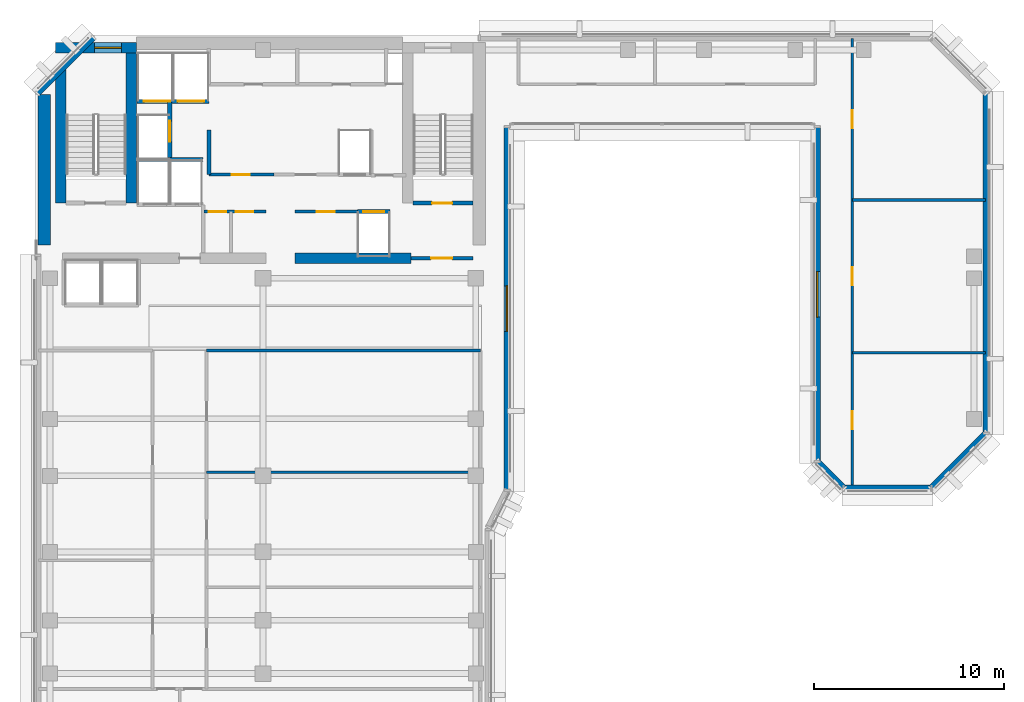
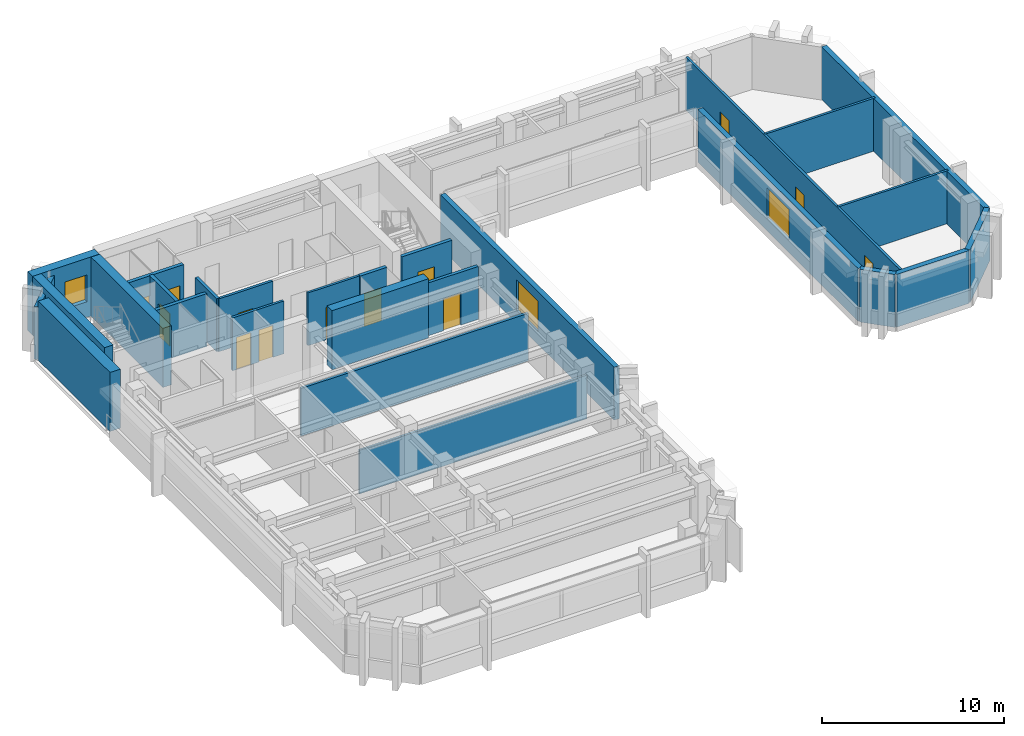
# One storey, part 6 of 11: 27 walls, 13 doors, 3 windows, 16 openings.
"""IFC4 building model written with IfcOpenShell, lengths in metres."""

from ifc_helpers import new_model, si_unit, direction, frame, frame_2d, origin, place, context, subcontext, project, spatial, rectangle, extrude, material, layer, layer_set, type_object, element, fill, save


model = new_model("IFC4")

# Units and contexts
model_context = context("Model", 3, precision=1e-05, world=origin(), true_north=direction((0.0, 1.0)))
body_context = subcontext(model_context, "Body", "Model", "MODEL_VIEW")
ifc_project = project(units=[si_unit("LENGTHUNIT", "METRE"), si_unit("AREAUNIT", "SQUARE_METRE"), si_unit("VOLUMEUNIT", "CUBIC_METRE"), si_unit("PLANEANGLEUNIT", "RADIAN"), si_unit("MASSUNIT", "GRAM", prefix="KILO")], contexts=[model_context])

# Site, building, storey
site_placement = place(None, origin())
site = spatial("IfcSite", under=ifc_project, at=site_placement, CompositionType="ELEMENT")
building_placement = place(site_placement, origin())
building = spatial("IfcBuilding", under=site, at=building_placement, Name="Kefirva Bronze Tower", CompositionType="ELEMENT")
storey_placement = place(building_placement, frame((0.0, 0.0, 247.5)))
storey = spatial("IfcBuildingStorey", under=building, at=storey_placement, Name="L60", CompositionType="ELEMENT", Elevation=247.5)

# Wall
ifc_material_1 = material(Name="Gypsum acoustic partition")
ifc_layer_1 = layer(ifc_material_1, 0.1298828125, Name="Gypsum acoustic partition")
ifc_layer_set_1 = layer_set([ifc_layer_1], Name="Gypsum acoustic partition")
wall_type_1 = type_object("IfcWallType", Name="Acoustic Office Partition 130mm", PredefinedType="PARTITIONING", material=ifc_layer_set_1)
wall_1_placement = place(storey_placement, frame((9.0400390625, 22.991943359375, 0.0), z_axis=(0.0, 0.0, 1.0), x_axis=(1.0, 0.0, 0.0)))
element("IfcWall", 1, at=wall_1_placement, inside=storey, type_object=wall_type_1, Name="L60 Partition W-L60-SED2", PredefinedType="PARTITIONING", context=body_context, shape_type="SweptSolid", body=[
    extrude(rectangle(XDim=14.409912109375, YDim=0.1298828125, at=frame_2d((7.205078125, 0.0))), origin(), (0.0, 0.0, 1.0), 2.925048828125),
])

# Wall, opening, door
ifc_layer_2 = layer(ifc_material_1, 0.14990234375, Name="Gypsum acoustic partition")
ifc_layer_set_2 = layer_set([ifc_layer_2], Name="Gypsum acoustic partition")
wall_type_2 = type_object("IfcWallType", Name="Executive Suite Partition 150mm", PredefinedType="PARTITIONING", material=ifc_layer_set_2)
wall_2_placement = place(storey_placement, frame((13.679931640625, 36.699951171875, 0.0), z_axis=(0.0, 0.0, 1.0), x_axis=(1.0, 0.0, 0.0)))
wall_2 = element("IfcWall", 2, at=wall_2_placement, inside=storey, type_object=wall_type_2, Name="L60 Partition W-L60-RECMP1", PredefinedType="PARTITIONING", context=body_context, shape_type="SweptSolid", body=[
    extrude(rectangle(XDim=3.280029296875, YDim=0.14990234375, at=frame_2d((1.64013671875, 0.0))), origin(), (0.0, 0.0, 1.0), 3.5400390625),
])
opening_1_placement = place(wall_2_placement, frame((1.14990234375, 0.0, 0.0)))
opening_1 = element("IfcOpeningElement", 3, at=opening_1_placement, cuts=wall_2, Name="Opening L60-D-RECMP1", PredefinedType="OPENING", context=body_context, shape_type="SweptSolid", body=[
    extrude(rectangle(XDim=0.949951171875, YDim=2.14990234375, at=frame_2d((0.47509765625, 1.074951171875))), frame((0.0, 0.0849609375, 0.0), z_axis=(0.0, -1.0, 0.0), x_axis=(1.0, 0.0, 0.0)), (0.0, 0.0, 1.0), 0.169921875),
])
ifc_material_2 = material(Name="Acoustic hardwood oak", Category="wood")
door_type_1 = type_object("IfcDoorType", Name="Office & Meeting Room Door 950x2150", OperationType="NOTDEFINED", PredefinedType="DOOR", material=ifc_material_2)
door_1_placement = place(opening_1_placement, origin())
door_1 = element("IfcDoor", 4, at=door_1_placement, inside=storey, type_object=door_type_1, Name="Door L60-D-RECMP1", OperationType="SINGLE_SWING_RIGHT", OverallHeight=2.14990234375, OverallWidth=0.949951171875, PredefinedType="DOOR", context=body_context, shape_type="SweptSolid", body=[
    extrude(rectangle(XDim=0.949951171875, YDim=2.14990234375, at=frame_2d((0.47509765625, 1.074951171875))), frame((0.0, 0.02490234375, 0.0), z_axis=(0.0, -1.0, 0.0), x_axis=(1.0, 0.0, 0.0)), (0.0, 0.0, 1.0), 0.050048828125),
])
fill(opening_1, door_1)

# Wall, openings, doors
wall_3_placement = place(storey_placement, frame((43.0, 22.18994140625, 0.0), z_axis=(0.0, 0.0, 1.0), x_axis=(0.0, 1.0, 0.0)))
wall_3 = element("IfcWall", 5, at=wall_3_placement, inside=storey, type_object=wall_type_2, Name="L60 Partition W-L60-PVEST", PredefinedType="PARTITIONING", context=body_context, shape_type="SweptSolid", body=[
    extrude(rectangle(XDim=23.6201171875, YDim=0.14990234375, at=frame_2d((11.81005859375, 0.0))), origin(), (0.0, 0.0, 1.0), 3.5400390625),
])
opening_2_placement = place(wall_3_placement, frame((3.068115234375, 0.0, 0.0)))
opening_2 = element("IfcOpeningElement", 6, at=opening_2_placement, cuts=wall_3, Name="Opening L60-D-EPV1", PredefinedType="OPENING", context=body_context, shape_type="SweptSolid", body=[
    extrude(rectangle(XDim=0.949951171875, YDim=2.14990234375, at=frame_2d((0.47509765625, 1.074951171875))), frame((0.0, 0.0849609375, 0.0), z_axis=(0.0, -1.0, 0.0), x_axis=(1.0, 0.0, 0.0)), (0.0, 0.0, 1.0), 0.169921875),
])
opening_3_placement = place(wall_3_placement, frame((10.62646484375, 0.0, 0.0)))
opening_3 = element("IfcOpeningElement", 7, at=opening_3_placement, cuts=wall_3, Name="Opening L60-D-EPV2", PredefinedType="OPENING", context=body_context, shape_type="SweptSolid", body=[
    extrude(rectangle(XDim=0.949951171875, YDim=2.14990234375, at=frame_2d((0.47509765625, 1.074951171875))), frame((0.0, 0.0849609375, 0.0), z_axis=(0.0, -1.0, 0.0), x_axis=(1.0, 0.0, 0.0)), (0.0, 0.0, 1.0), 0.169921875),
])
opening_4_placement = place(wall_3_placement, frame((18.893310546875, 0.0, 0.0)))
opening_4 = element("IfcOpeningElement", 8, at=opening_4_placement, cuts=wall_3, Name="Opening L60-D-EPV3", PredefinedType="OPENING", context=body_context, shape_type="SweptSolid", body=[
    extrude(rectangle(XDim=0.949951171875, YDim=2.14990234375, at=frame_2d((0.47509765625, 1.074951171875))), frame((0.0, 0.0849609375, 0.0), z_axis=(0.0, -1.0, 0.0), x_axis=(1.0, 0.0, 0.0)), (0.0, 0.0, 1.0), 0.169921875),
])
door_2_placement = place(opening_2_placement, origin())
door_2 = element("IfcDoor", 9, at=door_2_placement, inside=storey, type_object=door_type_1, Name="Door L60-D-EPV1", OperationType="SINGLE_SWING_LEFT", OverallHeight=2.14990234375, OverallWidth=0.949951171875, PredefinedType="DOOR", context=body_context, shape_type="SweptSolid", body=[
    extrude(rectangle(XDim=0.949951171875, YDim=2.14990234375, at=frame_2d((0.47509765625, 1.074951171875))), frame((0.0, 0.02490234375, 0.0), z_axis=(0.0, -1.0, 0.0), x_axis=(1.0, 0.0, 0.0)), (0.0, 0.0, 1.0), 0.050048828125),
])
fill(opening_2, door_2)
door_3_placement = place(opening_3_placement, origin())
door_3 = element("IfcDoor", 10, at=door_3_placement, inside=storey, type_object=door_type_1, Name="Door L60-D-EPV2", OperationType="SINGLE_SWING_RIGHT", OverallHeight=2.14990234375, OverallWidth=0.949951171875, PredefinedType="DOOR", context=body_context, shape_type="SweptSolid", body=[
    extrude(rectangle(XDim=0.949951171875, YDim=2.14990234375, at=frame_2d((0.47509765625, 1.074951171875))), frame((0.0, 0.02490234375, 0.0), z_axis=(0.0, -1.0, 0.0), x_axis=(1.0, 0.0, 0.0)), (0.0, 0.0, 1.0), 0.050048828125),
])
fill(opening_3, door_3)
door_4_placement = place(opening_4_placement, origin())
door_4 = element("IfcDoor", 11, at=door_4_placement, inside=storey, type_object=door_type_1, Name="Door L60-D-EPV3", OperationType="SINGLE_SWING_LEFT", OverallHeight=2.14990234375, OverallWidth=0.949951171875, PredefinedType="DOOR", context=body_context, shape_type="SweptSolid", body=[
    extrude(rectangle(XDim=0.949951171875, YDim=2.14990234375, at=frame_2d((0.47509765625, 1.074951171875))), frame((0.0, 0.02490234375, 0.0), z_axis=(0.0, -1.0, 0.0), x_axis=(1.0, 0.0, 0.0)), (0.0, 0.0, 1.0), 0.050048828125),
])
fill(opening_4, door_4)

# Walls
for number, where, z_axis, x_axis, name in (
    (12, (43.0, 29.27587890625, 0.0), (0.0, 0.0, 1.0), (1.0, 0.0, 0.0), "L60 Partition W-L60-EPVD1"),
    (13, (43.0, 37.306884765625, 0.0), (0.0, 0.0, 1.0), (1.0, 0.0, 0.0), "L60 Partition W-L60-EPVD2"),
):
    element("IfcWall", number, at=place(storey_placement, frame(where, z_axis=z_axis, x_axis=x_axis)), inside=storey, type_object=wall_type_2, Name=name, PredefinedType="PARTITIONING", context=body_context, shape_type="SweptSolid", body=[
        extrude(rectangle(XDim=7.010009765625, YDim=0.14990234375, at=frame_2d((3.5048828125, 0.0))), origin(), (0.0, 0.0, 1.0), 3.5400390625),
    ])

# Wall, opening, door
ifc_material_3 = material(Name="Gypsum fireboard shaftwall")
ifc_layer_3 = layer(ifc_material_3, 0.219970703125, Name="Gypsum fireboard shaftwall")
ifc_layer_set_3 = layer_set([ifc_layer_3], Name="Gypsum fireboard shaftwall")
wall_type_3 = type_object("IfcWallType", Name="Fire-Rated Shaft Enclosure Wall 220mm", PredefinedType="PARTITIONING", material=ifc_layer_set_3)
wall_4_placement = place(storey_placement, frame((19.89990234375, 37.14990234375, 0.0), z_axis=(0.0, 0.0, 1.0), x_axis=(1.0, 0.0, 0.0)))
wall_4 = element("IfcWall", 14, at=wall_4_placement, inside=storey, type_object=wall_type_3, Name="L60 Partition W-L60-ST2S", PredefinedType="PARTITIONING", context=body_context, shape_type="SweptSolid", body=[
    extrude(rectangle(XDim=3.150146484375, YDim=0.219970703125, at=frame_2d((1.5751953125, 0.0))), origin(), (0.0, 0.0, 1.0), 3.5400390625),
])
opening_5_placement = place(wall_4_placement, frame((2.050048828125, 0.0, 0.0), z_axis=(0.0, 0.0, 1.0), x_axis=(-1.0, 0.0, 0.0)))
opening_5 = element("IfcOpeningElement", 15, at=opening_5_placement, cuts=wall_4, Name="Opening L60-D003", PredefinedType="OPENING", context=body_context, shape_type="SweptSolid", body=[
    extrude(rectangle(XDim=1.050048828125, YDim=2.14990234375, at=frame_2d((0.52490234375, 1.074951171875))), frame((0.0, 0.1201171875, 0.0), z_axis=(0.0, -1.0, 0.0), x_axis=(1.0, 0.0, 0.0)), (0.0, 0.0, 1.0), 0.239990234375),
])
ifc_material_4 = material(Name="Painted galvanized steel", Category="steel")
door_type_2 = type_object("IfcDoorType", Name="Fire Stair Enclosure Door 1050x2150 FD90S", OperationType="NOTDEFINED", PredefinedType="DOOR", material=ifc_material_4)
door_5_placement = place(opening_5_placement, origin())
door_5 = element("IfcDoor", 16, at=door_5_placement, inside=storey, type_object=door_type_2, Name="Door L60-D003", OperationType="SINGLE_SWING_RIGHT", OverallHeight=2.14990234375, OverallWidth=1.050048828125, PredefinedType="DOOR", context=body_context, shape_type="SweptSolid", body=[
    extrude(rectangle(XDim=1.050048828125, YDim=2.14990234375, at=frame_2d((0.52490234375, 1.074951171875))), frame((0.0, 0.02490234375, 0.0), z_axis=(0.0, -1.0, 0.0), x_axis=(1.0, 0.0, 0.0)), (0.0, 0.0, 1.0), 0.050048828125),
])
fill(opening_5, door_5)

# Wall
wall_5_placement = place(storey_placement, frame((5.3798828125, 39.449951171875, 0.0), z_axis=(0.0, 0.0, 1.0), x_axis=(1.0, 0.0, 0.0)))
element("IfcWall", 17, at=wall_5_placement, inside=storey, type_object=wall_type_3, Name="L60 Partition W-L60-FFN", PredefinedType="PARTITIONING", context=body_context, shape_type="SweptSolid", body=[
    extrude(rectangle(XDim=3.460205078125, YDim=0.219970703125, at=frame_2d((1.72998046875, 0.0))), origin(), (0.0, 0.0, 1.0), 3.5400390625),
])

# Wall, openings, doors
wall_6_placement = place(storey_placement, frame((5.3798828125, 42.5, 0.0), z_axis=(0.0, 0.0, 1.0), x_axis=(1.0, 0.0, 0.0)))
wall_6 = element("IfcWall", 18, at=wall_6_placement, inside=storey, type_object=wall_type_3, Name="L60 Partition W-L60-SVS", PredefinedType="PARTITIONING", context=body_context, shape_type="SweptSolid", body=[
    extrude(rectangle(XDim=3.77001953125, YDim=0.219970703125, at=frame_2d((1.885009765625, 0.0))), origin(), (0.0, 0.0, 1.0), 3.5400390625),
])
opening_6_placement = place(wall_6_placement, frame((1.75, 0.0, 0.0), z_axis=(0.0, 0.0, 1.0), x_axis=(-1.0, 0.0, 0.0)))
opening_6 = element("IfcOpeningElement", 19, at=opening_6_placement, cuts=wall_6, Name="Opening L60-LD-SV1", PredefinedType="OPENING", context=body_context, shape_type="SweptSolid", body=[
    extrude(rectangle(XDim=1.39990234375, YDim=2.199951171875, at=frame_2d((0.699951171875, 1.10009765625))), frame((0.0, 0.1201171875, 0.0), z_axis=(0.0, -1.0, 0.0), x_axis=(1.0, 0.0, 0.0)), (0.0, 0.0, 1.0), 0.239990234375),
])
opening_7_placement = place(wall_6_placement, frame((3.52978515625, 0.0, 0.0), z_axis=(0.0, 0.0, 1.0), x_axis=(-1.0, 0.0, 0.0)))
opening_7 = element("IfcOpeningElement", 20, at=opening_7_placement, cuts=wall_6, Name="Opening L60-LD-SV2", PredefinedType="OPENING", context=body_context, shape_type="SweptSolid", body=[
    extrude(rectangle(XDim=1.39990234375, YDim=2.199951171875, at=frame_2d((0.699951171875, 1.10009765625))), frame((0.0, 0.1201171875, 0.0), z_axis=(0.0, -1.0, 0.0), x_axis=(1.0, 0.0, 0.0)), (0.0, 0.0, 1.0), 0.239990234375),
])
ifc_material_5 = material(Name="Stainless steel 316", Category="steel")
door_type_3 = type_object("IfcDoorType", Name="Goods Lift Bi-Parting Sliding Door 1400x2200", OperationType="SLIDING_TO_LEFT", PredefinedType="DOOR", material=ifc_material_5)
door_6_placement = place(opening_6_placement, origin())
door_6 = element("IfcDoor", 21, at=door_6_placement, inside=storey, type_object=door_type_3, Name="Door L60-LD-SV1", OperationType="SLIDING_TO_LEFT", OverallHeight=2.199951171875, OverallWidth=1.39990234375, PredefinedType="DOOR", context=body_context, shape_type="SweptSolid", body=[
    extrude(rectangle(XDim=1.39990234375, YDim=2.199951171875, at=frame_2d((0.699951171875, 1.10009765625))), frame((0.0, 0.02490234375, 0.0), z_axis=(0.0, -1.0, 0.0), x_axis=(1.0, 0.0, 0.0)), (0.0, 0.0, 1.0), 0.050048828125),
])
fill(opening_6, door_6)
door_7_placement = place(opening_7_placement, origin())
door_7 = element("IfcDoor", 22, at=door_7_placement, inside=storey, type_object=door_type_3, Name="Door L60-LD-SV2", OperationType="SLIDING_TO_LEFT", OverallHeight=2.199951171875, OverallWidth=1.39990234375, PredefinedType="DOOR", context=body_context, shape_type="SweptSolid", body=[
    extrude(rectangle(XDim=1.39990234375, YDim=2.199951171875, at=frame_2d((0.699951171875, 1.10009765625))), frame((0.0, 0.02490234375, 0.0), z_axis=(0.0, -1.0, 0.0), x_axis=(1.0, 0.0, 0.0)), (0.0, 0.0, 1.0), 0.050048828125),
])
fill(opening_7, door_7)

# Wall, opening, door
wall_7_placement = place(storey_placement, frame((7.10009765625, 39.52001953125, 0.0), z_axis=(0.0, 0.0, 1.0), x_axis=(0.0, 1.0, 0.0)))
wall_7 = element("IfcWall", 23, at=wall_7_placement, inside=storey, type_object=wall_type_3, Name="L60 Partition W-L60-HP3E", PredefinedType="PARTITIONING", context=body_context, shape_type="SweptSolid", body=[
    extrude(rectangle(XDim=2.929931640625, YDim=0.219970703125, at=frame_2d((1.46484375, 0.0))), origin(), (0.0, 0.0, 1.0), 3.5400390625),
])
opening_8_placement = place(wall_7_placement, frame((0.85009765625, 0.0, 0.0)))
opening_8 = element("IfcOpeningElement", 24, at=opening_8_placement, cuts=wall_7, Name="Opening L60-LD-HP3", PredefinedType="OPENING", context=body_context, shape_type="SweptSolid", body=[
    extrude(rectangle(XDim=1.10009765625, YDim=2.199951171875, at=frame_2d((0.550048828125, 1.10009765625))), frame((0.0, 0.1201171875, 0.0), z_axis=(0.0, -1.0, 0.0), x_axis=(1.0, 0.0, 0.0)), (0.0, 0.0, 1.0), 0.239990234375),
])
door_type_4 = type_object("IfcDoorType", Name="Passenger Lift Sliding Landing Door 1100x2200", OperationType="SLIDING_TO_LEFT", PredefinedType="DOOR", material=ifc_material_5)
door_8_placement = place(opening_8_placement, origin())
door_8 = element("IfcDoor", 25, at=door_8_placement, inside=storey, type_object=door_type_4, Name="Door L60-LD-HP3", OperationType="SLIDING_TO_LEFT", OverallHeight=2.199951171875, OverallWidth=1.10009765625, PredefinedType="DOOR", context=body_context, shape_type="SweptSolid", body=[
    extrude(rectangle(XDim=1.10009765625, YDim=2.199951171875, at=frame_2d((0.550048828125, 1.10009765625))), frame((0.0, 0.02490234375, 0.0), z_axis=(0.0, -1.0, 0.0), x_axis=(1.0, 0.0, 0.0)), (0.0, 0.0, 1.0), 0.050048828125),
])
fill(opening_8, door_8)

# Wall
wall_8_placement = place(storey_placement, frame((9.159912109375, 38.64990234375, 0.0), z_axis=(0.0, 0.0, 1.0), x_axis=(0.0, 1.0, 0.0)))
element("IfcWall", 26, at=wall_8_placement, inside=storey, type_object=wall_type_3, Name="L60 Partition W-L60-LP3W", PredefinedType="PARTITIONING", context=body_context, shape_type="SweptSolid", body=[
    extrude(rectangle(XDim=2.35009765625, YDim=0.199951171875, at=frame_2d((1.175048828125, 0.0))), origin(), (0.0, 0.0, 1.0), 3.5400390625),
])

# Wall, opening, door
wall_9_placement = place(storey_placement, frame((16.97998046875, 36.699951171875, 0.0), z_axis=(0.0, 0.0, 1.0), x_axis=(1.0, 0.0, 0.0)))
wall_9 = element("IfcWall", 27, at=wall_9_placement, inside=storey, type_object=wall_type_3, Name="L60 Partition W-L60-HPS", PredefinedType="PARTITIONING", context=body_context, shape_type="SweptSolid", body=[
    extrude(rectangle(XDim=1.699951171875, YDim=0.219970703125, at=frame_2d((0.85009765625, 0.0))), origin(), (0.0, 0.0, 1.0), 3.5400390625),
])
opening_9_placement = place(wall_9_placement, frame((0.300048828125, 0.0, 0.0)))
opening_9 = element("IfcOpeningElement", 28, at=opening_9_placement, cuts=wall_9, Name="Opening L60-LD-HP1", PredefinedType="OPENING", context=body_context, shape_type="SweptSolid", body=[
    extrude(rectangle(XDim=1.10009765625, YDim=2.199951171875, at=frame_2d((0.550048828125, 1.10009765625))), frame((0.0, 0.1201171875, 0.0), z_axis=(0.0, -1.0, 0.0), x_axis=(1.0, 0.0, 0.0)), (0.0, 0.0, 1.0), 0.239990234375),
])
door_9_placement = place(opening_9_placement, origin())
door_9 = element("IfcDoor", 29, at=door_9_placement, inside=storey, type_object=door_type_4, Name="Door L60-LD-HP1", OperationType="SLIDING_TO_LEFT", OverallHeight=2.199951171875, OverallWidth=1.10009765625, PredefinedType="DOOR", context=body_context, shape_type="SweptSolid", body=[
    extrude(rectangle(XDim=1.10009765625, YDim=2.199951171875, at=frame_2d((0.550048828125, 1.10009765625))), frame((0.0, 0.02490234375, 0.0), z_axis=(0.0, -1.0, 0.0), x_axis=(1.0, 0.0, 0.0)), (0.0, 0.0, 1.0), 0.050048828125),
])
fill(opening_9, door_9)

ifc_material_6 = material(Name="Gypsum fireboard barrier")
ifc_layer_4 = layer(ifc_material_6, 0.199951171875, Name="Gypsum fireboard barrier")
ifc_layer_set_4 = layer_set([ifc_layer_4], Name="Gypsum fireboard barrier")
wall_type_4 = type_object("IfcWallType", Name="Firefighting Lobby Barrier Wall 200mm", PredefinedType="PARTITIONING", material=ifc_layer_set_4)
wall_10_placement = place(storey_placement, frame((19.800048828125, 34.25, 0.0), z_axis=(0.0, 0.0, 1.0), x_axis=(1.0, 0.0, 0.0)))
wall_10 = element("IfcWall", 30, at=wall_10_placement, inside=storey, type_object=wall_type_4, Name="L60 Partition W-L60-ST2F", PredefinedType="PARTITIONING", context=body_context, shape_type="SweptSolid", body=[
    extrude(rectangle(XDim=3.25, YDim=0.199951171875, at=frame_2d((1.625, 0.0))), origin(), (0.0, 0.0, 1.0), 3.5400390625),
])
opening_10_placement = place(wall_10_placement, frame((2.150146484375, 0.0, 0.0), z_axis=(0.0, 0.0, 1.0), x_axis=(-1.0, 0.0, 0.0)))
opening_10 = element("IfcOpeningElement", 31, at=opening_10_placement, cuts=wall_10, Name="Opening L60-D004", PredefinedType="OPENING", context=body_context, shape_type="SweptSolid", body=[
    extrude(rectangle(XDim=1.10009765625, YDim=2.14990234375, at=frame_2d((0.550048828125, 1.074951171875))), frame((0.0, 0.10986328125, 0.0), z_axis=(0.0, -1.0, 0.0), x_axis=(1.0, 0.0, 0.0)), (0.0, 0.0, 1.0), 0.219970703125),
])
door_type_5 = type_object("IfcDoorType", Name="Firefighting Lobby Smoke Door 1100x2150 FD60S", OperationType="NOTDEFINED", PredefinedType="DOOR", material=ifc_material_4)
door_10_placement = place(opening_10_placement, origin())
door_10 = element("IfcDoor", 32, at=door_10_placement, inside=storey, type_object=door_type_5, Name="Door L60-D004", OperationType="SINGLE_SWING_LEFT", OverallHeight=2.14990234375, OverallWidth=1.10009765625, PredefinedType="DOOR", context=body_context, shape_type="SweptSolid", body=[
    extrude(rectangle(XDim=1.10009765625, YDim=2.14990234375, at=frame_2d((0.550048828125, 1.074951171875))), frame((0.0, 0.02490234375, 0.0), z_axis=(0.0, -1.0, 0.0), x_axis=(1.0, 0.0, 0.0)), (0.0, 0.0, 1.0), 0.050048828125),
])
fill(opening_10, door_10)

# Wall, opening, window
ifc_material_7 = material(Name="Precast concrete C40/50", Category="concrete")
ifc_layer_5 = layer(ifc_material_7, 0.320068359375, Name="Precast concrete C40/50")
ifc_layer_set_5 = layer_set([ifc_layer_5], Name="Precast concrete C40/50")
wall_type_5 = type_object("IfcWallType", Name="Precast Insulated Exterior Wall 320mm", PredefinedType="SOLIDWALL", material=ifc_layer_set_5)
wall_11_placement = place(storey_placement, frame((24.840087890625, 22.054931640625, 0.0), z_axis=(0.0, 0.0, 1.0), x_axis=(0.0, 1.0, 0.0)))
wall_11 = element("IfcWall", 33, at=wall_11_placement, inside=storey, type_object=wall_type_5, Name="L60 Exterior Facade Wall 4", PredefinedType="SOLIDWALL", context=body_context, shape_type="SweptSolid", body=[
    extrude(rectangle(XDim=19.090087890625, YDim=0.320068359375, at=frame_2d((9.544921875, 0.0))), origin(), (0.0, 0.0, 1.0), 3.5400390625),
])
opening_11_placement = place(wall_11_placement, frame((8.344970703125, 0.0, 0.85009765625)))
opening_11 = element("IfcOpeningElement", 34, at=opening_11_placement, cuts=wall_11, Name="Opening WN-01", PredefinedType="OPENING", context=body_context, shape_type="SweptSolid", body=[
    extrude(rectangle(XDim=2.39990234375, YDim=2.050048828125, at=frame_2d((1.199951171875, 1.02490234375))), frame((0.0, 0.169921875, 0.0), z_axis=(0.0, -1.0, 0.0), x_axis=(1.0, 0.0, 0.0)), (0.0, 0.0, 1.0), 0.340087890625),
])
ifc_material_8 = material(Name="Laminated low-E double glazing", Category="glass")
window_type_1 = type_object("IfcWindowType", Name="Streamline Ribbon Window 2400x2050", PartitioningType="SINGLE_PANEL", PredefinedType="WINDOW", material=ifc_material_8)
window_1_placement = place(opening_11_placement, origin())
window_1 = element("IfcWindow", 35, at=window_1_placement, inside=storey, type_object=window_type_1, Name="L60 Ribbon Window 4", OverallHeight=2.050048828125, OverallWidth=2.39990234375, PartitioningType="SINGLE_PANEL", PredefinedType="WINDOW", context=body_context, shape_type="SweptSolid", body=[
    extrude(rectangle(XDim=2.39990234375, YDim=2.050048828125, at=frame_2d((1.199951171875, 1.02490234375))), frame((0.0, 0.030029296875, 0.0), z_axis=(0.0, -1.0, 0.0), x_axis=(1.0, 0.0, 0.0)), (0.0, 0.0, 1.0), 0.06005859375),
])
fill(opening_11, window_1)

wall_12_placement = place(storey_placement, frame((41.159912109375, 41.14501953125, 0.0), z_axis=(0.0, 0.0, 1.0), x_axis=(0.0, -1.0, 0.0)))
wall_12 = element("IfcWall", 36, at=wall_12_placement, inside=storey, type_object=wall_type_5, Name="L60 Exterior Facade Wall 5", PredefinedType="SOLIDWALL", context=body_context, shape_type="SweptSolid", body=[
    extrude(rectangle(XDim=17.590087890625, YDim=0.320068359375, at=frame_2d((8.794921875, 0.0))), origin(), (0.0, 0.0, 1.0), 3.5400390625),
])
opening_12_placement = place(wall_12_placement, frame((7.594970703125, 0.0, 0.85009765625)))
opening_12 = element("IfcOpeningElement", 37, at=opening_12_placement, cuts=wall_12, Name="Opening WN-01", PredefinedType="OPENING", context=body_context, shape_type="SweptSolid", body=[
    extrude(rectangle(XDim=2.39990234375, YDim=2.050048828125, at=frame_2d((1.199951171875, 1.02490234375))), frame((0.0, 0.169921875, 0.0), z_axis=(0.0, -1.0, 0.0), x_axis=(1.0, 0.0, 0.0)), (0.0, 0.0, 1.0), 0.340087890625),
])
window_2_placement = place(opening_12_placement, origin())
window_2 = element("IfcWindow", 38, at=window_2_placement, inside=storey, type_object=window_type_1, Name="L60 Ribbon Window 5", OverallHeight=2.050048828125, OverallWidth=2.39990234375, PartitioningType="SINGLE_PANEL", PredefinedType="WINDOW", context=body_context, shape_type="SweptSolid", body=[
    extrude(rectangle(XDim=2.39990234375, YDim=2.050048828125, at=frame_2d((1.199951171875, 1.02490234375))), frame((0.0, 0.030029296875, 0.0), z_axis=(0.0, -1.0, 0.0), x_axis=(1.0, 0.0, 0.0)), (0.0, 0.0, 1.0), 0.06005859375),
])
fill(opening_12, window_2)

# Walls
wall_13_placement = place(storey_placement, frame((41.152099609375, 23.57421875, 0.0), z_axis=(0.0, 0.0, 1.0), x_axis=(0.707106781187, -0.707106781187, 0.0)))
element("IfcWall", 39, at=wall_13_placement, inside=storey, type_object=wall_type_5, Name="L60 Exterior Facade Wall 6", PredefinedType="SOLIDWALL", context=body_context, shape_type="SweptSolid", body=[
    extrude(rectangle(XDim=2.01123046875, YDim=0.320068359375, at=frame_2d((1.005615234375, 0.0))), origin(), (0.0, 0.0, 1.0), 3.5400390625),
])
wall_14_placement = place(storey_placement, frame((42.554931640625, 22.159912109375, 0.0), z_axis=(0.0, 0.0, 1.0), x_axis=(1.0, 0.0, 0.0)))
element("IfcWall", 40, at=wall_14_placement, inside=storey, type_object=wall_type_5, Name="L60 Exterior Facade Wall 7", PredefinedType="SOLIDWALL", context=body_context, shape_type="SweptSolid", body=[
    extrude(rectangle(XDim=4.590087890625, YDim=0.320068359375, at=frame_2d((2.294921875, 0.0))), origin(), (0.0, 0.0, 1.0), 3.5400390625),
])
wall_15_placement = place(storey_placement, frame((47.125732421875, 22.152099609375, 0.0), z_axis=(0.0, 0.0, 1.0), x_axis=(0.707136318428, 0.707077242712, 0.0)))
element("IfcWall", 41, at=wall_15_placement, inside=storey, type_object=wall_type_5, Name="L60 Exterior Facade Wall 8", PredefinedType="SOLIDWALL", context=body_context, shape_type="SweptSolid", body=[
    extrude(rectangle(XDim=4.132568359375, YDim=0.320068359375, at=frame_2d((2.06640625, 0.0))), origin(), (0.0, 0.0, 1.0), 3.5400390625),
])
wall_16_placement = place(storey_placement, frame((50.0400390625, 25.054931640625, 0.0), z_axis=(0.0, 0.0, 1.0), x_axis=(0.0, 1.0, 0.0)))
element("IfcWall", 42, at=wall_16_placement, inside=storey, type_object=wall_type_5, Name="L60 Exterior Facade Wall 9", PredefinedType="SOLIDWALL", context=body_context, shape_type="SweptSolid", body=[
    extrude(rectangle(XDim=17.89013671875, YDim=0.320068359375, at=frame_2d((8.945068359375, 0.0))), origin(), (0.0, 0.0, 1.0), 3.5400390625),
])
wall_17_placement = place(storey_placement, frame((3.07421875, 45.847900390625, 0.0), z_axis=(0.0, 0.0, 1.0), x_axis=(-0.707106781187, -0.707106781187, 0.0)))
element("IfcWall", 43, at=wall_17_placement, inside=storey, type_object=wall_type_5, Name="L60 Exterior Facade Wall 12", PredefinedType="SOLIDWALL", context=body_context, shape_type="SweptSolid", body=[
    extrude(rectangle(XDim=4.132568359375, YDim=0.320068359375, at=frame_2d((2.06640625, 0.0))), origin(), (0.0, 0.0, 1.0), 3.5400390625),
])

# Wall, openings, doors
ifc_layer_6 = layer(ifc_material_1, 0.159912109375, Name="Gypsum acoustic partition")
ifc_layer_set_6 = layer_set([ifc_layer_6], Name="Gypsum acoustic partition")
wall_type_6 = type_object("IfcWallType", Name="Protected Corridor Partition 160mm", PredefinedType="PARTITIONING", material=ifc_layer_set_6)
wall_18_placement = place(storey_placement, frame((8.89990234375, 36.699951171875, 0.0), z_axis=(0.0, 0.0, 1.0), x_axis=(1.0, 0.0, 0.0)))
wall_18 = element("IfcWall", 44, at=wall_18_placement, inside=storey, type_object=wall_type_6, Name="L60 Partition W-L60-RECLP1", PredefinedType="PARTITIONING", context=body_context, shape_type="SweptSolid", body=[
    extrude(rectangle(XDim=3.25, YDim=0.159912109375, at=frame_2d((1.625, 0.0))), origin(), (0.0, 0.0, 1.0), 3.5400390625),
])
opening_13_placement = place(wall_18_placement, frame((0.260009765625, 0.0, 0.0)))
opening_13 = element("IfcOpeningElement", 45, at=opening_13_placement, cuts=wall_18, Name="Opening L60-D-RECLP1A", PredefinedType="OPENING", context=body_context, shape_type="SweptSolid", body=[
    extrude(rectangle(XDim=0.89990234375, YDim=2.14990234375, at=frame_2d((0.449951171875, 1.074951171875))), frame((0.0, 0.08984375, 0.0), z_axis=(0.0, -1.0, 0.0), x_axis=(1.0, 0.0, 0.0)), (0.0, 0.0, 1.0), 0.179931640625),
])
opening_14_placement = place(wall_18_placement, frame((1.679931640625, 0.0, 0.0)))
opening_14 = element("IfcOpeningElement", 46, at=opening_14_placement, cuts=wall_18, Name="Opening L60-D-RECLP1B", PredefinedType="OPENING", context=body_context, shape_type="SweptSolid", body=[
    extrude(rectangle(XDim=0.89990234375, YDim=2.14990234375, at=frame_2d((0.449951171875, 1.074951171875))), frame((0.0, 0.08984375, 0.0), z_axis=(0.0, -1.0, 0.0), x_axis=(1.0, 0.0, 0.0)), (0.0, 0.0, 1.0), 0.179931640625),
])
door_type_6 = type_object("IfcDoorType", Name="Core Archive & Server Fire Door 900x2150 FD60S", OperationType="NOTDEFINED", PredefinedType="DOOR", material=ifc_material_4)
door_11_placement = place(opening_13_placement, origin())
door_11 = element("IfcDoor", 47, at=door_11_placement, inside=storey, type_object=door_type_6, Name="Door L60-D-RECLP1A", OperationType="SINGLE_SWING_LEFT", OverallHeight=2.14990234375, OverallWidth=0.89990234375, PredefinedType="DOOR", context=body_context, shape_type="SweptSolid", body=[
    extrude(rectangle(XDim=0.89990234375, YDim=2.14990234375, at=frame_2d((0.449951171875, 1.074951171875))), frame((0.0, 0.02490234375, 0.0), z_axis=(0.0, -1.0, 0.0), x_axis=(1.0, 0.0, 0.0)), (0.0, 0.0, 1.0), 0.050048828125),
])
fill(opening_13, door_11)
door_12_placement = place(opening_14_placement, origin())
door_12 = element("IfcDoor", 48, at=door_12_placement, inside=storey, type_object=door_type_6, Name="Door L60-D-RECLP1B", OperationType="SINGLE_SWING_RIGHT", OverallHeight=2.14990234375, OverallWidth=0.89990234375, PredefinedType="DOOR", context=body_context, shape_type="SweptSolid", body=[
    extrude(rectangle(XDim=0.89990234375, YDim=2.14990234375, at=frame_2d((0.449951171875, 1.074951171875))), frame((0.0, 0.02490234375, 0.0), z_axis=(0.0, -1.0, 0.0), x_axis=(1.0, 0.0, 0.0)), (0.0, 0.0, 1.0), 0.050048828125),
])
fill(opening_14, door_12)

# Wall, opening, door
wall_19_placement = place(storey_placement, frame((9.159912109375, 38.64990234375, 0.0), z_axis=(0.0, 0.0, 1.0), x_axis=(1.0, 0.0, 0.0)))
wall_19 = element("IfcWall", 49, at=wall_19_placement, inside=storey, type_object=wall_type_6, Name="L60 Partition W-L60-RECLP2", PredefinedType="PARTITIONING", context=body_context, shape_type="SweptSolid", body=[
    extrude(rectangle(XDim=3.420166015625, YDim=0.159912109375, at=frame_2d((1.7099609375, 0.0))), origin(), (0.0, 0.0, 1.0), 3.5400390625),
])
opening_15_placement = place(wall_19_placement, frame((2.14990234375, 0.0, 0.0), z_axis=(0.0, 0.0, 1.0), x_axis=(-1.0, 0.0, 0.0)))
opening_15 = element("IfcOpeningElement", 50, at=opening_15_placement, cuts=wall_19, Name="Opening L60-D-RECLP2", PredefinedType="OPENING", context=body_context, shape_type="SweptSolid", body=[
    extrude(rectangle(XDim=0.949951171875, YDim=2.14990234375, at=frame_2d((0.47509765625, 1.074951171875))), frame((0.0, 0.08984375, 0.0), z_axis=(0.0, -1.0, 0.0), x_axis=(1.0, 0.0, 0.0)), (0.0, 0.0, 1.0), 0.179931640625),
])
door_13_placement = place(opening_15_placement, origin())
door_13 = element("IfcDoor", 51, at=door_13_placement, inside=storey, type_object=door_type_1, Name="Door L60-D-RECLP2", OperationType="SINGLE_SWING_LEFT", OverallHeight=2.14990234375, OverallWidth=0.949951171875, PredefinedType="DOOR", context=body_context, shape_type="SweptSolid", body=[
    extrude(rectangle(XDim=0.949951171875, YDim=2.14990234375, at=frame_2d((0.47509765625, 1.074951171875))), frame((0.0, 0.02490234375, 0.0), z_axis=(0.0, -1.0, 0.0), x_axis=(1.0, 0.0, 0.0)), (0.0, 0.0, 1.0), 0.050048828125),
])
fill(opening_15, door_13)

# Wall
wall_20_placement = place(storey_placement, frame((9.0400390625, 29.39990234375, 0.0), z_axis=(0.0, 0.0, 1.0), x_axis=(1.0, 0.0, 0.0)))
element("IfcWall", 52, at=wall_20_placement, inside=storey, type_object=wall_type_6, Name="L60 Partition W-L60-NET", PredefinedType="PARTITIONING", context=body_context, shape_type="SweptSolid", body=[
    extrude(rectangle(XDim=14.409912109375, YDim=0.159912109375, at=frame_2d((7.205078125, 0.0))), origin(), (0.0, 0.0, 1.0), 3.195068359375),
])

# Wall, opening, window
ifc_material_9 = material(Name="Concrete C50/60", Category="concrete")
ifc_layer_7 = layer(ifc_material_9, 0.550048828125, Name="Concrete C50/60")
ifc_layer_set_7 = layer_set([ifc_layer_7], Name="Concrete C50/60")
wall_type_7 = type_object("IfcWallType", Name="RC Rear Core Exterior Wall 550mm", PredefinedType="SHEAR", material=ifc_layer_set_7)
wall_21_placement = place(storey_placement, frame((1.10009765625, 45.320068359375, 0.0), z_axis=(0.0, 0.0, 1.0), x_axis=(1.0, 0.0, 0.0)))
wall_21 = element("IfcWall", 53, at=wall_21_placement, inside=storey, type_object=wall_type_7, Name="L60 Stair 1 North Shear Wall", PredefinedType="SHEAR", context=body_context, shape_type="SweptSolid", body=[
    extrude(rectangle(XDim=4.239990234375, YDim=0.550048828125, at=frame_2d((2.1201171875, 0.0))), origin(), (0.0, 0.0, 1.0), 3.9599609375),
])
opening_16_placement = place(wall_21_placement, frame((2.050048828125, 0.0, 1.050048828125)))
opening_16 = element("IfcOpeningElement", 54, at=opening_16_placement, cuts=wall_21, Name="Opening WN-03", PredefinedType="OPENING", context=body_context, shape_type="SweptSolid", body=[
    extrude(rectangle(XDim=1.39990234375, YDim=1.800048828125, at=frame_2d((0.699951171875, 0.89990234375))), frame((0.0, 0.28515625, 0.0), z_axis=(0.0, -1.0, 0.0), x_axis=(1.0, 0.0, 0.0)), (0.0, 0.0, 1.0), 0.570068359375),
])
window_type_2 = type_object("IfcWindowType", Name="Rear-Core Stair Daylight Window 1400x1800", PartitioningType="SINGLE_PANEL", PredefinedType="WINDOW", material=ifc_material_8)
window_3_placement = place(opening_16_placement, origin())
window_3 = element("IfcWindow", 55, at=window_3_placement, inside=storey, type_object=window_type_2, Name="L60 Stair 1 Daylight Window", OverallHeight=1.800048828125, OverallWidth=1.39990234375, PartitioningType="SINGLE_PANEL", PredefinedType="WINDOW", context=body_context, shape_type="SweptSolid", body=[
    extrude(rectangle(XDim=1.39990234375, YDim=1.800048828125, at=frame_2d((0.699951171875, 0.89990234375))), frame((0.0, 0.030029296875, 0.0), z_axis=(0.0, -1.0, 0.0), x_axis=(1.0, 0.0, 0.0)), (0.0, 0.0, 1.0), 0.06005859375),
])
fill(opening_16, window_3)

# Walls
ifc_layer_8 = layer(ifc_material_9, 0.64990234375, Name="Concrete C50/60")
ifc_layer_set_8 = layer_set([ifc_layer_8], Name="Concrete C50/60")
wall_type_8 = type_object("IfcWallType", Name="RC Rear Core Exterior Wall 650mm", PredefinedType="SHEAR", material=ifc_layer_set_8)
wall_22_placement = place(storey_placement, frame((0.5, 34.949951171875, 0.0), z_axis=(0.0, 0.0, 1.0), x_axis=(0.0, 1.0, 0.0)))
element("IfcWall", 56, at=wall_22_placement, inside=storey, type_object=wall_type_8, Name="L60 Rear Core West Shear Wall", PredefinedType="SHEAR", context=body_context, shape_type="SweptSolid", body=[
    extrude(rectangle(XDim=7.900146484375, YDim=0.64990234375, at=frame_2d((3.9501953125, 0.0))), origin(), (0.0, 0.0, 1.0), 3.9599609375),
])
ifc_layer_9 = layer(ifc_material_9, 0.550048828125, Name="Concrete C50/60")
ifc_layer_set_9 = layer_set([ifc_layer_9], Name="Concrete C50/60")
wall_type_9 = type_object("IfcWallType", Name="RC Rear Core Interior Wall 550mm", PredefinedType="SHEAR", material=ifc_layer_set_9)
for number, where, z_axis, x_axis, name in (
    (57, (1.3701171875, 37.14990234375, 0.0), (0.0, 0.0, 1.0), (0.0, 1.0, 0.0), "L60 Stair 1 West Shear Wall"),
    (58, (5.070068359375, 37.14990234375, 0.0), (0.0, 0.0, 1.0), (0.0, 1.0, 0.0), "L60 Stair 1 East Shear Wall"),
):
    element("IfcWall", number, at=place(storey_placement, frame(where, z_axis=z_axis, x_axis=x_axis)), inside=storey, type_object=wall_type_9, Name=name, PredefinedType="SHEAR", context=body_context, shape_type="SweptSolid", body=[
        extrude(rectangle(XDim=7.89013671875, YDim=0.550048828125, at=frame_2d((3.945068359375, 0.0))), origin(), (0.0, 0.0, 1.0), 3.9599609375),
    ])
ifc_layer_10 = layer(ifc_material_9, 0.64990234375, Name="Concrete C50/60")
ifc_layer_set_10 = layer_set([ifc_layer_10], Name="Concrete C50/60")
wall_type_10 = type_object("IfcWallType", Name="RC Rear Core Interior Wall 650mm", PredefinedType="SHEAR", material=ifc_layer_set_10)
wall_23_placement = place(storey_placement, frame((13.679931640625, 34.25, 0.0), z_axis=(0.0, 0.0, 1.0), x_axis=(1.0, 0.0, 0.0)))
element("IfcWall", 59, at=wall_23_placement, inside=storey, type_object=wall_type_10, Name="L60 Rear Core South-East Shear Wall", PredefinedType="SHEAR", context=body_context, shape_type="SweptSolid", body=[
    extrude(rectangle(XDim=6.1201171875, YDim=0.550048828125, at=frame_2d((3.06005859375, 0.0))), origin(), (0.0, 0.0, 1.0), 3.9599609375),
])

save(model, "model.ifc")
